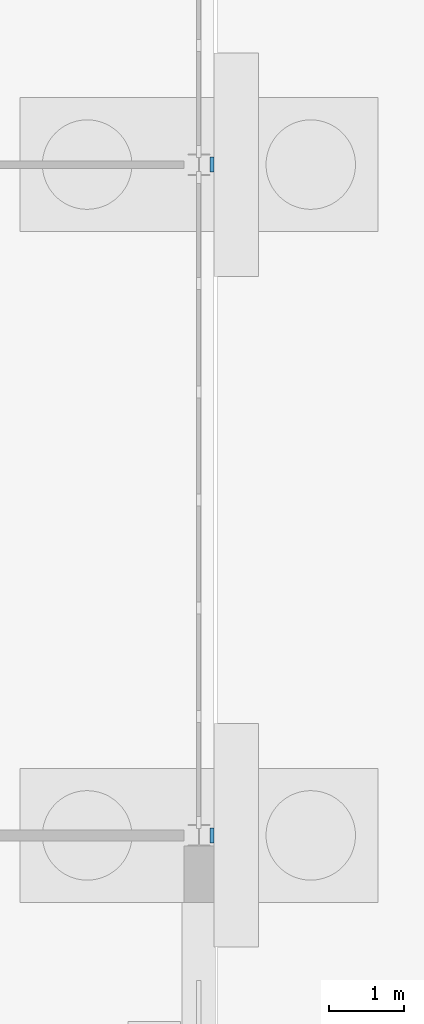
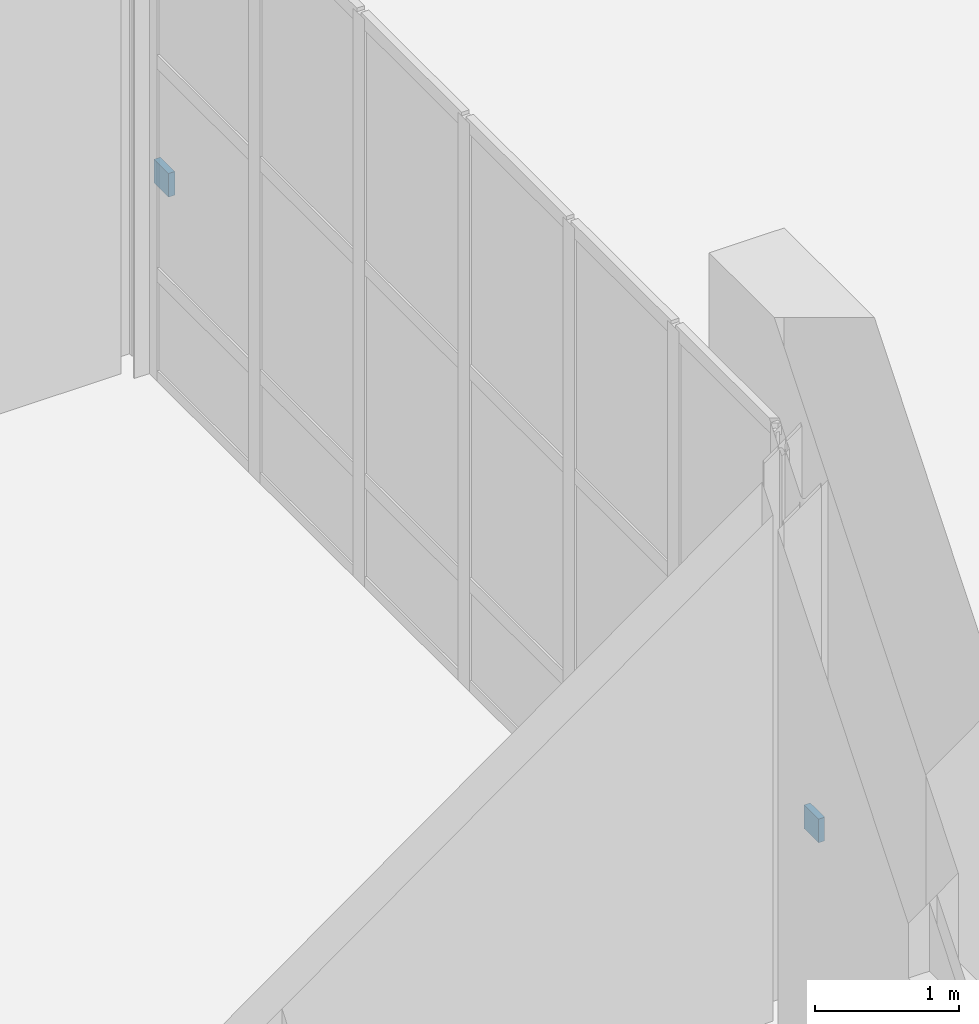
# One storey, part 117 of 168: 2 discrete accessories.
"""IFC4 building model written with IfcOpenShell, lengths in metres."""

import ifcopenshell
import ifcopenshell.guid

model = None  # the IFC model being written
_history = None  # IfcOwnerHistory: only IFC2X3 demands one
_inside = {}  # id of a spatial element -> (the spatial element, [elements in it])
_under = {}  # id of a project, library or spatial element -> (it, [spatial elements below it])
_declared = {}  # id of a project -> (the project, [libraries it declares])
_typed = {}  # id of a type object -> (the type object, [elements of that type])
_made_of = {}  # id of a material, layer set ... -> (it, [elements and type objects made of it])


def new_model(schema):
    """Start an empty IFC model of exactly this schema.

    Asked for "IFC4X3", IfcOpenShell would pick the latest addendum, in which some entities
    have other attributes; the version numbers below select the first issue.
    IFC2X3 requires an IfcOwnerHistory on every rooted entity: one is made here for all.
    """
    global model, _history
    if schema == "IFC4X3":
        model = ifcopenshell.file(schema_version=(4, 3, 0, 0))
    else:
        model = ifcopenshell.file(schema=schema)
    _inside.clear()
    _under.clear()
    _declared.clear()
    _typed.clear()
    _made_of.clear()
    _history = None
    if model.schema == "IFC2X3":
        org = make("IfcOrganization", Name="unknown")
        user = make(
            "IfcPersonAndOrganization",
            ThePerson=make("IfcPerson", FamilyName="unknown"),
            TheOrganization=org,
        )
        app = make(
            "IfcApplication",
            ApplicationDeveloper=org,
            Version="unknown",
            ApplicationFullName="unknown",
            ApplicationIdentifier="unknown",
        )
        _history = make(
            "IfcOwnerHistory",
            OwningUser=user,
            OwningApplication=app,
            ChangeAction="ADDED",
            CreationDate=0,
        )
    return model


def make(cls, **values):
    """One entity of the class cls with the attributes given. An attribute that is None is left unset."""
    return model.create_entity(
        cls, **{name: value for name, value in values.items() if value is not None}
    )


def rooted(cls, **values):
    """An entity with a GlobalId (a new one), such as an element, a storey or a relation."""
    return make(cls, GlobalId=ifcopenshell.guid.new(), OwnerHistory=_history, **values)


def si_unit(unit_type, name, prefix=None):
    """IfcSIUnit, for example si_unit("LENGTHUNIT", "METRE", prefix="MILLI")."""
    return make("IfcSIUnit", UnitType=unit_type, Prefix=prefix, Name=name)


def assignment(units):
    """IfcUnitAssignment: the units of a project."""
    return None if units is None else make("IfcUnitAssignment", Units=units)


def point(xyz):
    """IfcCartesianPoint."""
    return None if xyz is None else make("IfcCartesianPoint", Coordinates=xyz)


def direction(xyz):
    """IfcDirection."""
    return None if xyz is None else make("IfcDirection", DirectionRatios=xyz)


def frame(location, z_axis=None, x_axis=None):
    """IfcAxis2Placement3D, a coordinate frame: its origin and axes. An axis left out is left unset."""
    return make(
        "IfcAxis2Placement3D",
        Location=point(location),
        Axis=direction(z_axis),
        RefDirection=direction(x_axis),
    )


def frame_2d(location, x_axis=None):
    """IfcAxis2Placement2D, a coordinate frame in the plane: its origin and x axis."""
    return make(
        "IfcAxis2Placement2D", Location=point(location), RefDirection=direction(x_axis)
    )


def origin():
    """The frame at (0, 0, 0) with its axes left unset."""
    return frame((0.0, 0.0, 0.0))


def origin_2d():
    """The frame at (0, 0) in the plane with its x axis left unset."""
    return frame_2d((0.0, 0.0))


def place(relative_to, where):
    """IfcLocalPlacement: puts the frame where relative to a parent placement (None: the world)."""
    return make(
        "IfcLocalPlacement", PlacementRelTo=relative_to, RelativePlacement=where
    )


def context(
    kind, dimensions, precision=None, world=None, true_north=None, identifier=None
):
    """IfcGeometricRepresentationContext, for example the 3D "Model" context."""
    return make(
        "IfcGeometricRepresentationContext",
        ContextIdentifier=identifier,
        ContextType=kind,
        CoordinateSpaceDimension=dimensions,
        Precision=precision,
        WorldCoordinateSystem=world,
        TrueNorth=true_north,
    )


def subcontext(parent, identifier, kind, view, scale=None):
    """IfcGeometricRepresentationSubContext, for example "Body" below "Model"."""
    return make(
        "IfcGeometricRepresentationSubContext",
        ContextIdentifier=identifier,
        ContextType=kind,
        ParentContext=parent,
        TargetScale=scale,
        TargetView=view,
    )


def project(units=None, contexts=None):
    """IfcProject with its units and contexts."""
    return rooted(
        "IfcProject",
        Name="project",
        RepresentationContexts=contexts,
        UnitsInContext=assignment(units),
    )


def spatial(cls, under=None, at=None, **own):
    """A site, building, storey or space (cls), placed at a placement, below another one or the project."""
    s = rooted(cls, ObjectPlacement=at, **own)
    if under is not None:
        _under.setdefault(under.id(), (under, []))[1].append(s)
    return s


def profile(cls, at=None, kind="AREA", **sizes):
    """A parametric profile (cls). Its sizes go by their IFC names, for example OverallWidth=200.0."""
    return make(cls, ProfileType=kind, Position=at, **sizes)


def rectangle(**sizes):
    """IfcRectangleProfileDef."""
    return profile("IfcRectangleProfileDef", **sizes)


def extrude(swept, where, along, depth):
    """IfcExtrudedAreaSolid: the profile swept, set in the frame where, extruded along a direction by depth."""
    return make(
        "IfcExtrudedAreaSolid",
        SweptArea=swept,
        Position=where,
        ExtrudedDirection=direction(along),
        Depth=depth,
    )


def shape(context_of_items, identifier, shape_type, items):
    """IfcShapeRepresentation: the items that make up one representation, for example the "Body"."""
    return make(
        "IfcShapeRepresentation",
        ContextOfItems=context_of_items,
        RepresentationIdentifier=identifier,
        RepresentationType=shape_type,
        Items=items,
    )


def material(Name=None, Category=None):
    """IfcMaterial."""
    return make("IfcMaterial", Name=Name, Category=Category)


def made_of(thing, what):
    """Note that an element or type object is made of a material, layer set ...; save() writes the relation."""
    if what is not None:
        _made_of.setdefault(what.id(), (what, []))[1].append(thing)
    return thing


def type_object(cls, material=None, **own):
    """A type object (cls), such as IfcWallType, which elements share."""
    return made_of(rooted(cls, **own), material)


def element(
    cls,
    number,
    at=None,
    inside=None,
    cuts=None,
    type_object=None,
    material=None,
    context=None,
    identifier="Body",
    shape_type=None,
    held_by="IfcProductDefinitionShape",
    body=None,
    shapes=None,
    **own,
):
    """One element of the class cls, such as IfcWall. Its Tag is "e" and its number.

    at: its placement. inside: the storey or other place that contains it. cuts: it is an
    opening in that element (IfcRelVoidsElement). A single representation is given by context,
    identifier, shape_type and body (its items); several are given by shapes. held_by: the class
    of the entity that holds the representations. save() writes the other relations.
    """
    e = rooted(cls, Tag="e%d" % number, ObjectPlacement=at, **own)
    if body is not None:
        shapes = [shape(context, identifier, shape_type, body)]
    if shapes is not None:
        e.Representation = make(held_by, Representations=shapes)
    if inside is not None:
        _inside.setdefault(inside.id(), (inside, []))[1].append(e)
    if cuts is not None:
        rooted(
            "IfcRelVoidsElement", RelatingBuildingElement=cuts, RelatedOpeningElement=e
        )
    if type_object is not None:
        _typed.setdefault(type_object.id(), (type_object, []))[1].append(e)
    return made_of(e, material)


def aggregate(whole, parts):
    """IfcRelAggregates: a whole, such as a stair, and the parts it consists of."""
    return rooted("IfcRelAggregates", RelatingObject=whole, RelatedObjects=parts)


def save(model, path):
    """Write the relations noted so far, then the file.

    IfcRelAggregates (storeys below a building ...), IfcRelContainedInSpatialStructure (elements
    in a storey), IfcRelDefinesByType, IfcRelAssociatesMaterial and IfcRelDeclares: one each for
    every whole, place, type object, material and project.
    """
    for whole, parts in _under.values():
        aggregate(whole, parts)
    for where, things in _inside.values():
        rooted(
            "IfcRelContainedInSpatialStructure",
            RelatedElements=things,
            RelatingStructure=where,
        )
    for kind, things in _typed.values():
        rooted("IfcRelDefinesByType", RelatedObjects=things, RelatingType=kind)
    for what, things in _made_of.values():
        rooted("IfcRelAssociatesMaterial", RelatedObjects=things, RelatingMaterial=what)
    for by, libraries in _declared.values():
        rooted("IfcRelDeclares", RelatingContext=by, RelatedDefinitions=libraries)
    model.write(path)


model = new_model("IFC4")

# Units and contexts
model_context = context("Model", 3, precision=1e-05, world=origin(), true_north=direction((0.0, 1.0)))
body_context = subcontext(model_context, "Body", "Model", "MODEL_VIEW")
ifc_project = project(units=[si_unit("LENGTHUNIT", "METRE"), si_unit("AREAUNIT", "SQUARE_METRE"), si_unit("VOLUMEUNIT", "CUBIC_METRE"), si_unit("PLANEANGLEUNIT", "RADIAN"), si_unit("MASSUNIT", "GRAM", prefix="KILO")], contexts=[model_context])

# Site, building, storey
site_placement = place(None, origin())
site = spatial("IfcSite", under=ifc_project, at=site_placement, CompositionType="ELEMENT")
building_placement = place(site_placement, origin())
building = spatial("IfcBuilding", under=site, at=building_placement, Name="Golden Quay Civic Hall", CompositionType="ELEMENT")
storey_placement = place(building_placement, origin())
storey = spatial("IfcBuildingStorey", under=building, at=storey_placement, Name="L00", CompositionType="ELEMENT", Elevation=0.0)

# Discrete accessories
ifc_material = material(Name="Steel S355", Category="steel")
discrete_accessory_type = type_object("IfcDiscreteAccessoryType", Name="Pier fixing bracket 200 x 200", PredefinedType="BRACKET", material=ifc_material)
for number, where, z_axis, x_axis, name in (
    (1, (117.175048828125, 18.0, 1.39990234375), (0.0, 0.0, 1.0), (0.0, 1.0, 0.0), "Pier fixing bracket 200 x 200 L00 17"),
    (2, (117.175048828125, 27.0, 1.39990234375), (0.0, 0.0, 1.0), (0.0, 1.0, 0.0), "Pier fixing bracket 200 x 200 L00 18"),
):
    element("IfcDiscreteAccessory", number, at=place(storey_placement, frame(where, z_axis=z_axis, x_axis=x_axis)), inside=storey, type_object=discrete_accessory_type, Name=name, PredefinedType="BRACKET", context=body_context, shape_type="SweptSolid", body=[
        extrude(rectangle(XDim=0.199951171875, YDim=0.050048828125, at=origin_2d()), origin(), (0.0, 0.0, 1.0), 0.199951171875),
    ])

save(model, "model.ifc")
